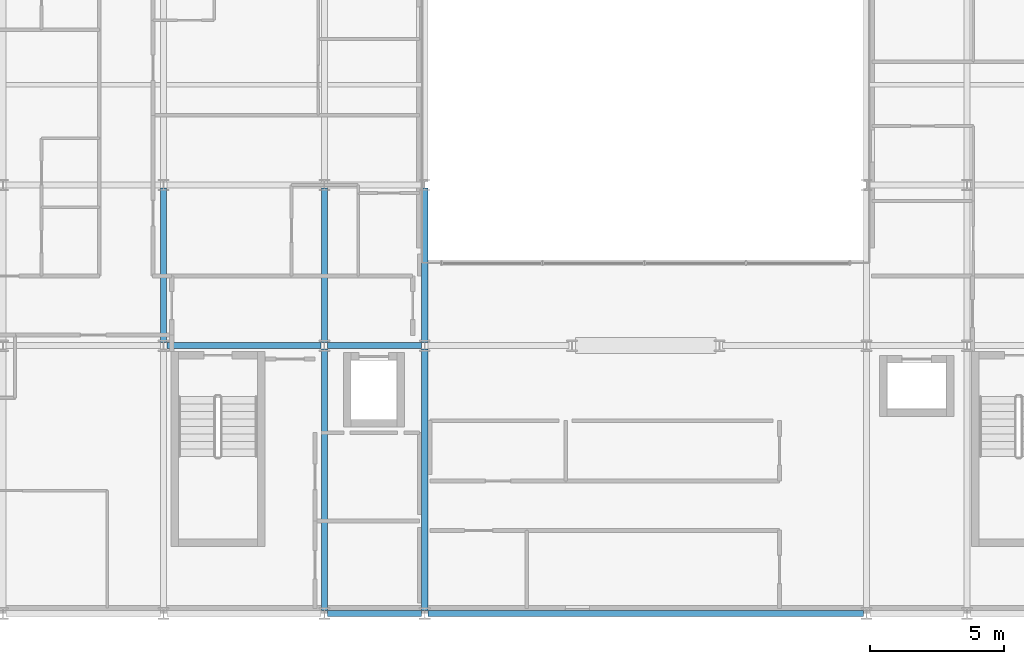
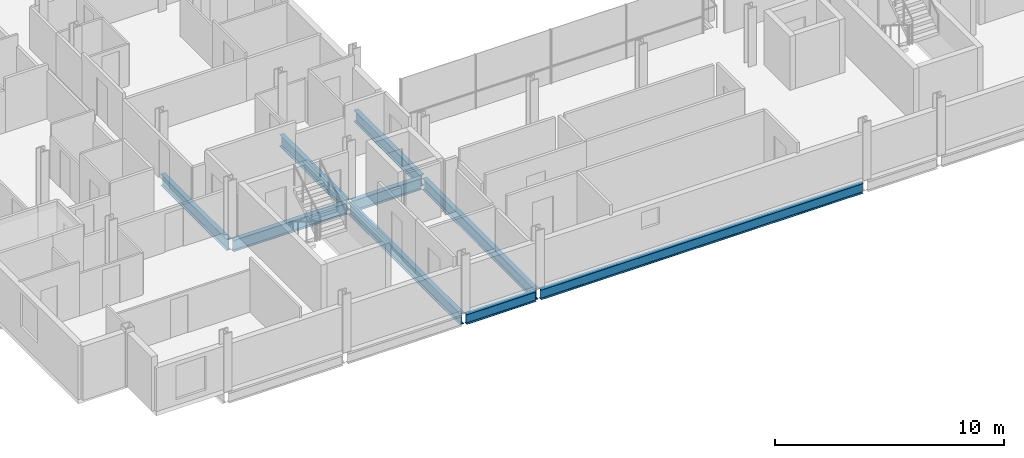
# One storey, part 3 of 38: 9 beams.
"""IFC4 building model written with IfcOpenShell, lengths in metres."""

from ifc_helpers import new_model, si_unit, direction, frame, origin, origin_2d, place, context, subcontext, project, spatial, i_section, extrude, material, material_profile, profile_set, type_object, element, save


model = new_model("IFC4")

# Units and contexts
model_context = context("Model", 3, precision=1e-05, world=origin(), true_north=direction((0.0, 1.0)))
body_context = subcontext(model_context, "Body", "Model", "MODEL_VIEW")
ifc_project = project(units=[si_unit("LENGTHUNIT", "METRE"), si_unit("AREAUNIT", "SQUARE_METRE"), si_unit("VOLUMEUNIT", "CUBIC_METRE"), si_unit("PLANEANGLEUNIT", "RADIAN"), si_unit("MASSUNIT", "GRAM", prefix="KILO")], contexts=[model_context])

# Site, building, storey
site_placement = place(None, origin())
site = spatial("IfcSite", under=ifc_project, at=site_placement, CompositionType="ELEMENT")
building_placement = place(site_placement, origin())
building = spatial("IfcBuilding", under=site, at=building_placement, Name="Brevholm Reach", CompositionType="ELEMENT")
storey_placement = place(building_placement, frame((0.0, 0.0, 122.10009765625)))
storey = spatial("IfcBuildingStorey", under=building, at=storey_placement, Name="L36", CompositionType="ELEMENT", Elevation=122.10009765625)

# Beams
ifc_material_1 = material(Name="Structural Steel S355J2", Category="steel")
ifc_material_profile_1 = material_profile(ifc_material_1, i_section(OverallWidth=0.209228515625, OverallDepth=0.533203125, WebThickness=0.010009765625, FlangeThickness=0.015625, FilletRadius=0.0126953125, at=origin_2d()), Name="UKB 533x210x92")
ifc_profile_set_1 = profile_set([ifc_material_profile_1], Name="Structural Steel S355J2")
beam_type_1 = type_object("IfcBeamType", Name="BM-SP533", PredefinedType="SPANDREL", material=ifc_profile_set_1)
beam_1_placement = place(storey_placement, frame((18.1201171875, 0.0, -0.486572265625), z_axis=(1.0, 0.0, 0.0), x_axis=(0.0, 1.0, 0.0)))
element("IfcBeam", 1, at=beam_1_placement, inside=storey, type_object=beam_type_1, Name="L36 SP-02 Framing Beam", PredefinedType="SPANDREL", context=body_context, shape_type="SweptSolid", body=[
    extrude(i_section(OverallWidth=0.209228515625, OverallDepth=0.533203125, WebThickness=0.010009765625, FlangeThickness=0.015625, FilletRadius=0.0126953125, at=origin_2d()), origin(), (0.0, 0.0, 1.0), 3.509765625),
])
beam_2_placement = place(storey_placement, frame((21.8701171875, 0.0, -0.486572265625), z_axis=(1.0, 0.0, 0.0), x_axis=(0.0, 1.0, 0.0)))
element("IfcBeam", 2, at=beam_2_placement, inside=storey, type_object=beam_type_1, Name="L36 SP-02 Framing Beam", PredefinedType="SPANDREL", context=body_context, shape_type="SweptSolid", body=[
    extrude(i_section(OverallWidth=0.209228515625, OverallDepth=0.533203125, WebThickness=0.010009765625, FlangeThickness=0.015625, FilletRadius=0.0126953125, at=origin_2d()), origin(), (0.0, 0.0, 1.0), 16.259765625),
])
ifc_material_2 = material(Name="Structural Steel S355J2", Category="steel")
ifc_material_profile_2 = material_profile(ifc_material_2, i_section(OverallWidth=0.22900390625, OverallDepth=0.6123046875, WebThickness=0.011962890625, FlangeThickness=0.01953125, FilletRadius=0.0126953125, at=origin_2d()), Name="UKB 610x229x125")
ifc_profile_set_2 = profile_set([ifc_material_profile_2], Name="Structural Steel S355J2")
beam_type_2 = type_object("IfcBeamType", Name="BM-SP610", PredefinedType="SPANDREL", material=ifc_profile_set_2)
beam_3_placement = place(storey_placement, frame((12.1201171875, 10.0, -0.526123046875), z_axis=(1.0, 0.0, 0.0), x_axis=(0.0, 1.0, 0.0)))
element("IfcBeam", 3, at=beam_3_placement, inside=storey, type_object=beam_type_2, Name="L36 SP-01 Framing Beam", PredefinedType="SPANDREL", context=body_context, shape_type="SweptSolid", body=[
    extrude(i_section(OverallWidth=0.22900390625, OverallDepth=0.6123046875, WebThickness=0.011962890625, FlangeThickness=0.01953125, FilletRadius=0.0126953125, at=origin_2d()), origin(), (0.0, 0.0, 1.0), 5.759765625),
])
beam_4_placement = place(storey_placement, frame((18.1201171875, 10.0, -0.526123046875), z_axis=(1.0, 0.0, 0.0), x_axis=(0.0, 1.0, 0.0)))
element("IfcBeam", 4, at=beam_4_placement, inside=storey, type_object=beam_type_2, Name="L36 SP-01 Framing Beam", PredefinedType="SPANDREL", context=body_context, shape_type="SweptSolid", body=[
    extrude(i_section(OverallWidth=0.22900390625, OverallDepth=0.6123046875, WebThickness=0.011962890625, FlangeThickness=0.01953125, FilletRadius=0.0126953125, at=origin_2d()), origin(), (0.0, 0.0, 1.0), 3.509765625),
])
beam_5_placement = place(storey_placement, frame((12.0, 10.1201171875, -0.526123046875), z_axis=(0.0, 1.0, 0.0), x_axis=(-1.0, 0.0, 0.0)))
element("IfcBeam", 5, at=beam_5_placement, inside=storey, type_object=beam_type_2, Name="L36 SP-01 Framing Beam", PredefinedType="SPANDREL", context=body_context, shape_type="SweptSolid", body=[
    extrude(i_section(OverallWidth=0.22900390625, OverallDepth=0.6123046875, WebThickness=0.011962890625, FlangeThickness=0.01953125, FilletRadius=0.0126953125, at=origin_2d()), origin(), (0.0, 0.0, 1.0), 5.759765625),
])
beam_6_placement = place(storey_placement, frame((18.0, 0.1201171875, -0.526123046875), z_axis=(0.0, 1.0, 0.0), x_axis=(-1.0, 0.0, 0.0)))
element("IfcBeam", 6, at=beam_6_placement, inside=storey, type_object=beam_type_2, Name="L36 SP-01 Framing Beam", PredefinedType="SPANDREL", context=body_context, shape_type="SweptSolid", body=[
    extrude(i_section(OverallWidth=0.22900390625, OverallDepth=0.6123046875, WebThickness=0.011962890625, FlangeThickness=0.01953125, FilletRadius=0.0126953125, at=origin_2d()), origin(), (0.0, 0.0, 1.0), 9.759765625),
])
beam_7_placement = place(storey_placement, frame((18.0, 10.1201171875, -0.526123046875), z_axis=(0.0, 1.0, 0.0), x_axis=(-1.0, 0.0, 0.0)))
element("IfcBeam", 7, at=beam_7_placement, inside=storey, type_object=beam_type_2, Name="L36 SP-01 Framing Beam", PredefinedType="SPANDREL", context=body_context, shape_type="SweptSolid", body=[
    extrude(i_section(OverallWidth=0.22900390625, OverallDepth=0.6123046875, WebThickness=0.011962890625, FlangeThickness=0.01953125, FilletRadius=0.0126953125, at=origin_2d()), origin(), (0.0, 0.0, 1.0), 5.759765625),
])
beam_8_placement = place(storey_placement, frame((21.75, 0.1201171875, -0.526123046875), z_axis=(0.0, 1.0, 0.0), x_axis=(-1.0, 0.0, 0.0)))
element("IfcBeam", 8, at=beam_8_placement, inside=storey, type_object=beam_type_2, Name="L36 SP-01 Framing Beam", PredefinedType="SPANDREL", context=body_context, shape_type="SweptSolid", body=[
    extrude(i_section(OverallWidth=0.22900390625, OverallDepth=0.6123046875, WebThickness=0.011962890625, FlangeThickness=0.01953125, FilletRadius=0.0126953125, at=origin_2d()), origin(), (0.0, 0.0, 1.0), 9.759765625),
])
beam_9_placement = place(storey_placement, frame((21.75, 10.1201171875, -0.526123046875), z_axis=(0.0, 1.0, 0.0), x_axis=(-1.0, 0.0, 0.0)))
element("IfcBeam", 9, at=beam_9_placement, inside=storey, type_object=beam_type_2, Name="L36 SP-01 Framing Beam", PredefinedType="SPANDREL", context=body_context, shape_type="SweptSolid", body=[
    extrude(i_section(OverallWidth=0.22900390625, OverallDepth=0.6123046875, WebThickness=0.011962890625, FlangeThickness=0.01953125, FilletRadius=0.0126953125, at=origin_2d()), origin(), (0.0, 0.0, 1.0), 5.759765625),
])

save(model, "model.ifc")
